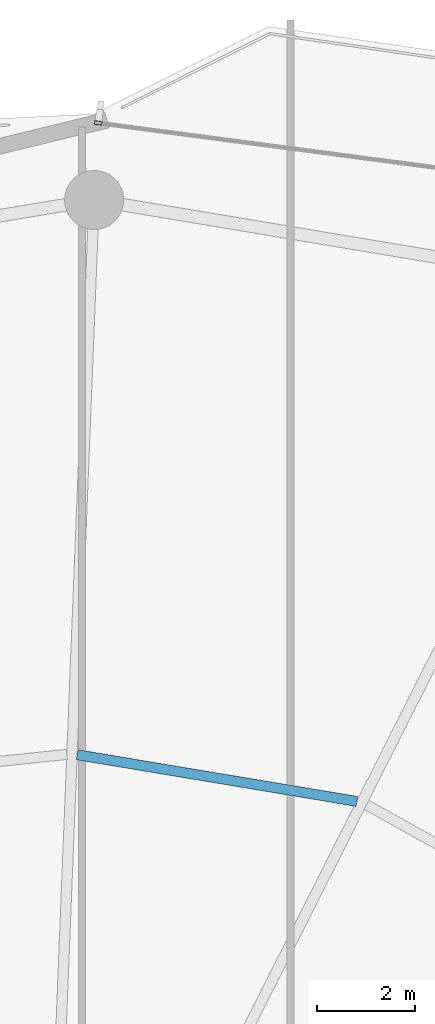
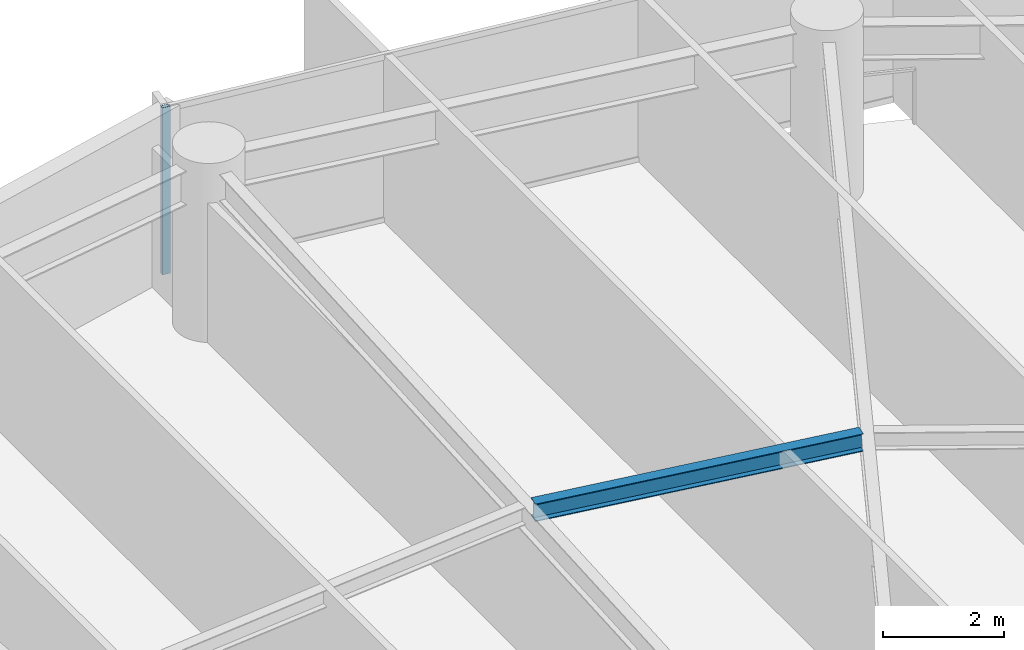
# One storey, part 20 of 31: 1 beam, 1 member, 1 element without a shape of its own.
"""IFC4 building model written with IfcOpenShell, lengths in metres."""

from ifc_helpers import new_model, si_unit, direction, frame, origin, origin_2d, place, context, subcontext, project, spatial, hollow_rectangle, i_section, extrude, material, layer, layer_set, material_profile, profile_set, type_object, element, aggregate, save


model = new_model("IFC4")

# Units and contexts
model_context = context("Model", 3, precision=1e-05, world=origin(), true_north=direction((0.0, 1.0)))
body_context = subcontext(model_context, "Body", "Model", "MODEL_VIEW")
ifc_project = project(units=[si_unit("LENGTHUNIT", "METRE"), si_unit("AREAUNIT", "SQUARE_METRE"), si_unit("VOLUMEUNIT", "CUBIC_METRE"), si_unit("PLANEANGLEUNIT", "RADIAN"), si_unit("MASSUNIT", "GRAM", prefix="KILO")], contexts=[model_context])

# Site, building, storey
site_placement = place(None, origin())
site = spatial("IfcSite", under=ifc_project, at=site_placement, CompositionType="ELEMENT")
building_placement = place(site_placement, origin())
building = spatial("IfcBuilding", under=site, at=building_placement, Name="Kazevale Care Tower and Concert Hall", CompositionType="ELEMENT")
storey_placement = place(building_placement, frame((0.0, 0.0, 124.199951171875)))
storey = spatial("IfcBuildingStorey", under=building, at=storey_placement, Name="L32", CompositionType="ELEMENT", Elevation=124.199951171875)

# Curtain wall, member
ifc_material_1 = material(Name="Aluminium 6063-T6 and Low-E Glass", Category="aluminium")
ifc_layer = layer(ifc_material_1, 0.179931640625)
ifc_layer_set = layer_set([ifc_layer], Name="Aluminium 6063-T6 and Low-E Glass")
curtain_wall_type = type_object("IfcCurtainWallType", Name="Convex Recessed Sunroom Curtain Wall CW-3", PredefinedType="NOTDEFINED", material=ifc_layer_set)
curtain_wall_placement = place(storey_placement, origin())
curtain_wall = element("IfcCurtainWall", 1, at=curtain_wall_placement, inside=storey, type_object=curtain_wall_type, Name="cw:L32:f16", PredefinedType="NOTDEFINED")
ifc_material_2 = material(Name="Aluminium 6063-T6", Category="aluminium")
ifc_material_profile_1 = material_profile(ifc_material_2, hollow_rectangle(XDim=0.074951171875, YDim=0.14990234375, WallThickness=0.00390625, at=origin_2d()), Name="ALU75x150x4")
ifc_profile_set_1 = profile_set([ifc_material_profile_1], Name="Aluminium 6063-T6")
member_type = type_object("IfcMemberType", Name="CW-3 Mullion ALU75x150x4", PredefinedType="MULLION", material=ifc_profile_set_1)
member_placement = place(storey_placement, frame((45.084228515625, 63.01708984375, 0.0), z_axis=(0.0, 0.0, 1.0), x_axis=(0.130822374277, 0.991405823257, 0.0)))
member = element("IfcMember", 2, at=member_placement, type_object=member_type, Name="CW-3 mullion 1", PredefinedType="MULLION", context=body_context, shape_type="SweptSolid", body=[
    extrude(hollow_rectangle(XDim=0.074951171875, YDim=0.14990234375, WallThickness=0.00390625, at=origin_2d()), origin(), (0.0, 0.0, 1.0), 3.360107421875),
])
aggregate(curtain_wall, [member])

# Beam
ifc_material_3 = material(Name="Steel ASTM A572 Gr 50", Category="steel")
ifc_material_profile_2 = material_profile(ifc_material_3, i_section(OverallWidth=0.205078125, OverallDepth=0.35400390625, WebThickness=0.009521484375, FlangeThickness=0.016845703125, at=origin_2d()), Name="W360x79")
ifc_profile_set_2 = profile_set([ifc_material_profile_2], Name="Steel ASTM A572 Gr 50")
beam_type = type_object("IfcBeamType", Name="Secondary Floor Joist W360x79", PredefinedType="JOIST", material=ifc_profile_set_2)
beam_placement = place(storey_placement, frame((50.347900390625, 49.2099609375, 3.18310546875), z_axis=(-0.986366476547, 0.164563586324, 0.0), x_axis=(-0.164563586324, -0.986366476547, 0.0)))
element("IfcBeam", 3, at=beam_placement, inside=storey, type_object=beam_type, Name="beam:L32:joist:04", PredefinedType="JOIST", context=body_context, shape_type="SweptSolid", body=[
    extrude(i_section(OverallWidth=0.205078125, OverallDepth=0.35400390625, WebThickness=0.009521484375, FlangeThickness=0.016845703125, at=origin_2d()), origin(), (0.0, 0.0, 1.0), 5.7724609375),
])

save(model, "model.ifc")
